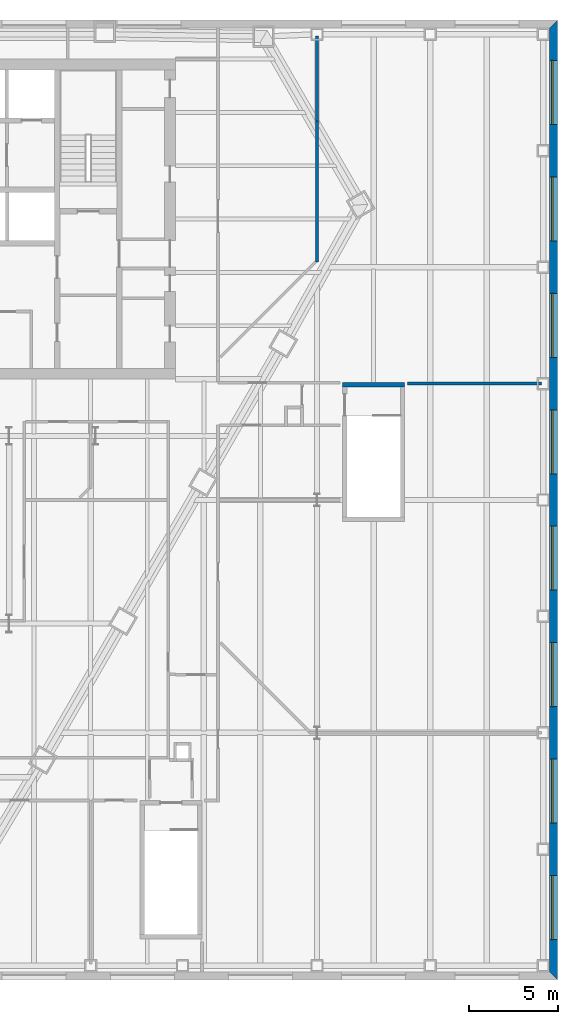
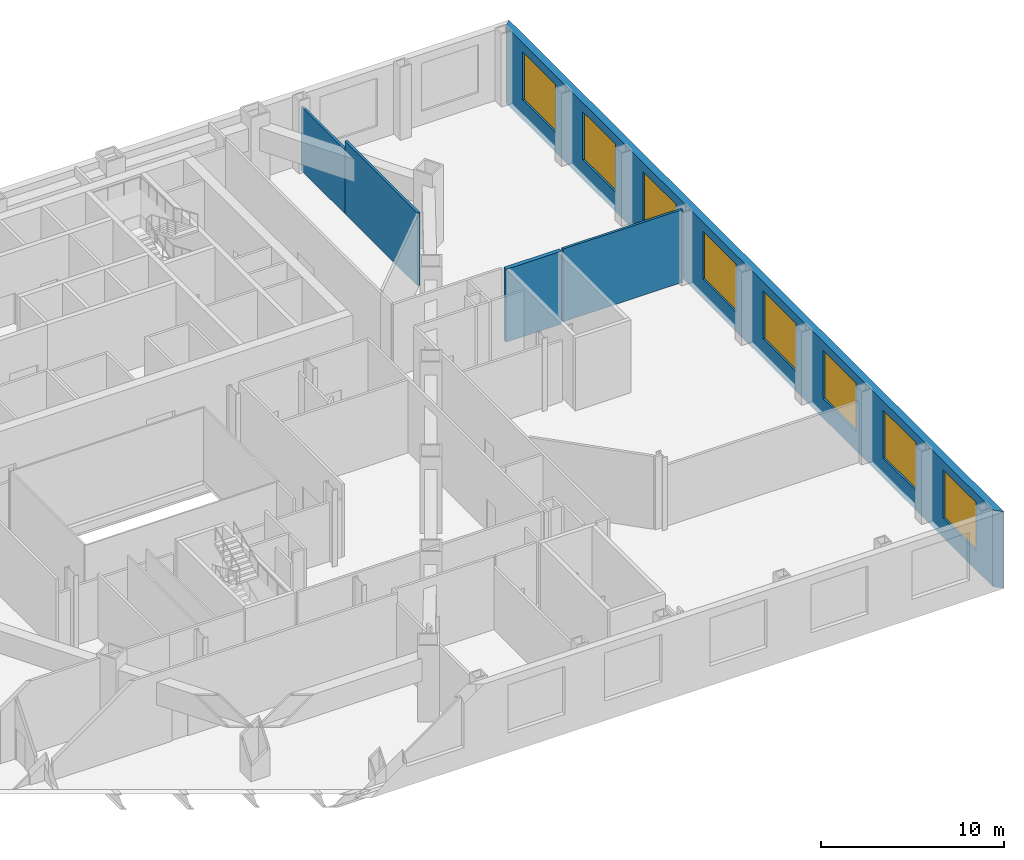
# One storey, part 14 of 17: 8 windows, 5 walls, 8 openings.
"""IFC4 building model written with IfcOpenShell, lengths in metres."""

from ifc_helpers import new_model, si_unit, direction, frame, frame_2d, origin, place, context, subcontext, project, spatial, polyline, rectangle, outline, extrude, material, layer, layer_set, type_object, element, fill, save


model = new_model("IFC4")

# Units and contexts
model_context = context("Model", 3, precision=1e-05, world=origin(), true_north=direction((0.0, 1.0)))
body_context = subcontext(model_context, "Body", "Model", "MODEL_VIEW")
ifc_project = project(units=[si_unit("LENGTHUNIT", "METRE"), si_unit("AREAUNIT", "SQUARE_METRE"), si_unit("VOLUMEUNIT", "CUBIC_METRE"), si_unit("PLANEANGLEUNIT", "RADIAN"), si_unit("MASSUNIT", "GRAM", prefix="KILO")], contexts=[model_context])

# Site, building, storey
site_placement = place(None, origin())
site = spatial("IfcSite", under=ifc_project, at=site_placement, CompositionType="ELEMENT")
building_placement = place(site_placement, origin())
building = spatial("IfcBuilding", under=site, at=building_placement, Name="Njiva Tower", CompositionType="ELEMENT")
storey_placement = place(building_placement, frame((0.0, 0.0, 23.7)))
storey = spatial("IfcBuildingStorey", under=building, at=storey_placement, Name="L04", CompositionType="ELEMENT", Elevation=23.7)

# Walls
ifc_material_1 = material(Name="Gypsum board on steel studs", Category="gypsum")
ifc_layer_1 = layer(ifc_material_1, 0.15)
ifc_layer_set_1 = layer_set([ifc_layer_1], Name="Gypsum board on steel studs")
wall_type_1 = type_object("IfcWallType", Name="WT21 Compartment wall 150", PredefinedType="PARTITIONING", material=ifc_layer_set_1)
wall_1_placement = place(storey_placement, frame((25.467, 6.592, 0.0), z_axis=(0.0, 0.0, 1.0), x_axis=(0.0, 1.0, 0.0)))
element("IfcWall", 1, at=wall_1_placement, inside=storey, type_object=wall_type_1, Name="Partition L04-P090", PredefinedType="PARTITIONING", context=body_context, shape_type="SweptSolid", body=[
    extrude(rectangle(XDim=7.936, YDim=0.15, at=frame_2d((3.968, 0.0))), origin(), (0.0, 0.0, 1.0), 4.85),
])
wall_2_placement = place(storey_placement, frame((25.467, 14.528, 0.0), z_axis=(0.0, 0.0, 1.0), x_axis=(0.0, 1.0, 0.0)))
element("IfcWall", 2, at=wall_2_placement, inside=storey, type_object=wall_type_1, Name="Partition L04-P090A", PredefinedType="PARTITIONING", context=body_context, shape_type="SweptSolid", body=[
    extrude(rectangle(XDim=4.772, YDim=0.15, at=frame_2d((2.386, 0.0))), origin(), (0.0, 0.0, 1.0), 4.25),
])
wall_3_placement = place(storey_placement, frame((30.55, -0.25, 0.0), z_axis=(0.0, 0.0, 1.0), x_axis=(1.0, 0.0, 0.0)))
element("IfcWall", 3, at=wall_3_placement, inside=storey, type_object=wall_type_1, Name="Partition L04-P091", PredefinedType="PARTITIONING", context=body_context, shape_type="SweptSolid", body=[
    extrude(rectangle(XDim=7.55, YDim=0.15, at=frame_2d((3.775, 0.0))), origin(), (0.0, 0.0, 1.0), 4.85),
])
ifc_material_2 = material(Name="Concrete C40/50", Category="concrete")
ifc_layer_2 = layer(ifc_material_2, 0.25)
ifc_layer_set_2 = layer_set([ifc_layer_2], Name="Concrete C40/50")
wall_type_2 = type_object("IfcWallType", Name="WT9 Stair enclosure wall 250", PredefinedType="SHEAR", material=ifc_layer_set_2)
wall_4_placement = place(storey_placement, frame((26.9, -0.325, 0.0), z_axis=(0.0, 0.0, 1.0), x_axis=(1.0, 0.0, 0.0)))
element("IfcWall", 4, at=wall_4_placement, inside=storey, type_object=wall_type_2, Name="Stair G wall north", PredefinedType="SHEAR", context=body_context, shape_type="SweptSolid", body=[
    extrude(rectangle(XDim=3.5, YDim=0.25, at=frame_2d((1.75, 0.0))), origin(), (0.0, 0.0, 1.0), 4.85),
])

# Wall, openings, windows
ifc_material_3 = material(Name="Brick masonry", Category="masonry")
ifc_layer_3 = layer(ifc_material_3, 0.45)
ifc_layer_set_3 = layer_set([ifc_layer_3], Name="Brick masonry")
wall_type_3 = type_object("IfcWallType", Name="WT90 Brick pier and spandrel wall 450", PredefinedType="SOLIDWALL", material=ifc_layer_set_3)
wall_5_placement = place(storey_placement, frame((38.775, -33.575, -0.4), z_axis=(0.0, 0.0, 1.0), x_axis=(0.0, 1.0, 0.0)))
wall_5 = element("IfcWall", 5, at=wall_5_placement, inside=storey, type_object=wall_type_3, Name="Podium wall E", PredefinedType="SOLIDWALL", context=body_context, shape_type="SweptSolid", body=[
    extrude(outline(polyline([(-0.225, -0.225), (53.775, -0.225), (53.325, 0.225), (0.225, 0.225), (-0.225, -0.225)])), origin(), (0.0, 0.0, 1.0), 5.1),
])
opening_1_placement = place(wall_5_placement, frame((2.05, 0.0, 1.3)))
opening_1 = element("IfcOpeningElement", 6, at=opening_1_placement, cuts=wall_5, Name="Opening L04-W01", PredefinedType="OPENING", context=body_context, shape_type="SweptSolid", body=[
    extrude(rectangle(XDim=3.6, YDim=3.2, at=frame_2d((1.8, 1.6))), frame((0.0, 0.235, 0.0), z_axis=(0.0, -1.0, 0.0), x_axis=(1.0, 0.0, 0.0)), (0.0, 0.0, 1.0), 0.47),
])
opening_2_placement = place(wall_5_placement, frame((8.6, 0.0, 1.3)))
opening_2 = element("IfcOpeningElement", 7, at=opening_2_placement, cuts=wall_5, Name="Opening L04-W02", PredefinedType="OPENING", context=body_context, shape_type="SweptSolid", body=[
    extrude(rectangle(XDim=3.6, YDim=3.2, at=frame_2d((1.8, 1.6))), frame((0.0, 0.235, 0.0), z_axis=(0.0, -1.0, 0.0), x_axis=(1.0, 0.0, 0.0)), (0.0, 0.0, 1.0), 0.47),
])
opening_3_placement = place(wall_5_placement, frame((15.15, 0.0, 1.3)))
opening_3 = element("IfcOpeningElement", 8, at=opening_3_placement, cuts=wall_5, Name="Opening L04-W03", PredefinedType="OPENING", context=body_context, shape_type="SweptSolid", body=[
    extrude(rectangle(XDim=3.6, YDim=3.2, at=frame_2d((1.8, 1.6))), frame((0.0, 0.235, 0.0), z_axis=(0.0, -1.0, 0.0), x_axis=(1.0, 0.0, 0.0)), (0.0, 0.0, 1.0), 0.47),
])
opening_4_placement = place(wall_5_placement, frame((21.7, 0.0, 1.3)))
opening_4 = element("IfcOpeningElement", 9, at=opening_4_placement, cuts=wall_5, Name="Opening L04-W04", PredefinedType="OPENING", context=body_context, shape_type="SweptSolid", body=[
    extrude(rectangle(XDim=3.6, YDim=3.2, at=frame_2d((1.8, 1.6))), frame((0.0, 0.235, 0.0), z_axis=(0.0, -1.0, 0.0), x_axis=(1.0, 0.0, 0.0)), (0.0, 0.0, 1.0), 0.47),
])
opening_5_placement = place(wall_5_placement, frame((28.25, 0.0, 1.3)))
opening_5 = element("IfcOpeningElement", 10, at=opening_5_placement, cuts=wall_5, Name="Opening L04-W05", PredefinedType="OPENING", context=body_context, shape_type="SweptSolid", body=[
    extrude(rectangle(XDim=3.6, YDim=3.2, at=frame_2d((1.8, 1.6))), frame((0.0, 0.235, 0.0), z_axis=(0.0, -1.0, 0.0), x_axis=(1.0, 0.0, 0.0)), (0.0, 0.0, 1.0), 0.47),
])
opening_6_placement = place(wall_5_placement, frame((34.8, 0.0, 1.3)))
opening_6 = element("IfcOpeningElement", 11, at=opening_6_placement, cuts=wall_5, Name="Opening L04-W06", PredefinedType="OPENING", context=body_context, shape_type="SweptSolid", body=[
    extrude(rectangle(XDim=3.6, YDim=3.2, at=frame_2d((1.8, 1.6))), frame((0.0, 0.235, 0.0), z_axis=(0.0, -1.0, 0.0), x_axis=(1.0, 0.0, 0.0)), (0.0, 0.0, 1.0), 0.47),
])
opening_7_placement = place(wall_5_placement, frame((41.35, 0.0, 1.3)))
opening_7 = element("IfcOpeningElement", 12, at=opening_7_placement, cuts=wall_5, Name="Opening L04-W07", PredefinedType="OPENING", context=body_context, shape_type="SweptSolid", body=[
    extrude(rectangle(XDim=3.6, YDim=3.2, at=frame_2d((1.8, 1.6))), frame((0.0, 0.235, 0.0), z_axis=(0.0, -1.0, 0.0), x_axis=(1.0, 0.0, 0.0)), (0.0, 0.0, 1.0), 0.47),
])
opening_8_placement = place(wall_5_placement, frame((47.9, 0.0, 1.3)))
opening_8 = element("IfcOpeningElement", 13, at=opening_8_placement, cuts=wall_5, Name="Opening L04-W08", PredefinedType="OPENING", context=body_context, shape_type="SweptSolid", body=[
    extrude(rectangle(XDim=3.6, YDim=3.2, at=frame_2d((1.8, 1.6))), frame((0.0, 0.235, 0.0), z_axis=(0.0, -1.0, 0.0), x_axis=(1.0, 0.0, 0.0)), (0.0, 0.0, 1.0), 0.47),
])
ifc_material_4 = material(Name="Clear glazing in aluminium frame", Category="aluminium")
window_type = type_object("IfcWindowType", Name="W98 Deep-set window 3600x3200", PartitioningType="SINGLE_PANEL", PredefinedType="WINDOW", material=ifc_material_4)
window_1_placement = place(opening_1_placement, origin())
window_1 = element("IfcWindow", 14, at=window_1_placement, inside=storey, type_object=window_type, Name="Window", OverallHeight=3.2, OverallWidth=3.6, PartitioningType="SINGLE_PANEL", PredefinedType="WINDOW", context=body_context, shape_type="SweptSolid", body=[
    extrude(rectangle(XDim=3.6, YDim=3.2, at=frame_2d((1.8, 1.6))), frame((0.0, 0.105, 0.0), z_axis=(0.0, -1.0, 0.0), x_axis=(1.0, 0.0, 0.0)), (0.0, 0.0, 1.0), 0.06),
])
fill(opening_1, window_1)
window_2_placement = place(opening_2_placement, origin())
window_2 = element("IfcWindow", 15, at=window_2_placement, inside=storey, type_object=window_type, Name="Window", OverallHeight=3.2, OverallWidth=3.6, PartitioningType="SINGLE_PANEL", PredefinedType="WINDOW", context=body_context, shape_type="SweptSolid", body=[
    extrude(rectangle(XDim=3.6, YDim=3.2, at=frame_2d((1.8, 1.6))), frame((0.0, 0.105, 0.0), z_axis=(0.0, -1.0, 0.0), x_axis=(1.0, 0.0, 0.0)), (0.0, 0.0, 1.0), 0.06),
])
fill(opening_2, window_2)
window_3_placement = place(opening_3_placement, origin())
window_3 = element("IfcWindow", 16, at=window_3_placement, inside=storey, type_object=window_type, Name="Window", OverallHeight=3.2, OverallWidth=3.6, PartitioningType="SINGLE_PANEL", PredefinedType="WINDOW", context=body_context, shape_type="SweptSolid", body=[
    extrude(rectangle(XDim=3.6, YDim=3.2, at=frame_2d((1.8, 1.6))), frame((0.0, 0.105, 0.0), z_axis=(0.0, -1.0, 0.0), x_axis=(1.0, 0.0, 0.0)), (0.0, 0.0, 1.0), 0.06),
])
fill(opening_3, window_3)
window_4_placement = place(opening_4_placement, origin())
window_4 = element("IfcWindow", 17, at=window_4_placement, inside=storey, type_object=window_type, Name="Window", OverallHeight=3.2, OverallWidth=3.6, PartitioningType="SINGLE_PANEL", PredefinedType="WINDOW", context=body_context, shape_type="SweptSolid", body=[
    extrude(rectangle(XDim=3.6, YDim=3.2, at=frame_2d((1.8, 1.6))), frame((0.0, 0.105, 0.0), z_axis=(0.0, -1.0, 0.0), x_axis=(1.0, 0.0, 0.0)), (0.0, 0.0, 1.0), 0.06),
])
fill(opening_4, window_4)
window_5_placement = place(opening_5_placement, origin())
window_5 = element("IfcWindow", 18, at=window_5_placement, inside=storey, type_object=window_type, Name="Window", OverallHeight=3.2, OverallWidth=3.6, PartitioningType="SINGLE_PANEL", PredefinedType="WINDOW", context=body_context, shape_type="SweptSolid", body=[
    extrude(rectangle(XDim=3.6, YDim=3.2, at=frame_2d((1.8, 1.6))), frame((0.0, 0.105, 0.0), z_axis=(0.0, -1.0, 0.0), x_axis=(1.0, 0.0, 0.0)), (0.0, 0.0, 1.0), 0.06),
])
fill(opening_5, window_5)
window_6_placement = place(opening_6_placement, origin())
window_6 = element("IfcWindow", 19, at=window_6_placement, inside=storey, type_object=window_type, Name="Window", OverallHeight=3.2, OverallWidth=3.6, PartitioningType="SINGLE_PANEL", PredefinedType="WINDOW", context=body_context, shape_type="SweptSolid", body=[
    extrude(rectangle(XDim=3.6, YDim=3.2, at=frame_2d((1.8, 1.6))), frame((0.0, 0.105, 0.0), z_axis=(0.0, -1.0, 0.0), x_axis=(1.0, 0.0, 0.0)), (0.0, 0.0, 1.0), 0.06),
])
fill(opening_6, window_6)
window_7_placement = place(opening_7_placement, origin())
window_7 = element("IfcWindow", 20, at=window_7_placement, inside=storey, type_object=window_type, Name="Window", OverallHeight=3.2, OverallWidth=3.6, PartitioningType="SINGLE_PANEL", PredefinedType="WINDOW", context=body_context, shape_type="SweptSolid", body=[
    extrude(rectangle(XDim=3.6, YDim=3.2, at=frame_2d((1.8, 1.6))), frame((0.0, 0.105, 0.0), z_axis=(0.0, -1.0, 0.0), x_axis=(1.0, 0.0, 0.0)), (0.0, 0.0, 1.0), 0.06),
])
fill(opening_7, window_7)
window_8_placement = place(opening_8_placement, origin())
window_8 = element("IfcWindow", 21, at=window_8_placement, inside=storey, type_object=window_type, Name="Window", OverallHeight=3.2, OverallWidth=3.6, PartitioningType="SINGLE_PANEL", PredefinedType="WINDOW", context=body_context, shape_type="SweptSolid", body=[
    extrude(rectangle(XDim=3.6, YDim=3.2, at=frame_2d((1.8, 1.6))), frame((0.0, 0.105, 0.0), z_axis=(0.0, -1.0, 0.0), x_axis=(1.0, 0.0, 0.0)), (0.0, 0.0, 1.0), 0.06),
])
fill(opening_8, window_8)

save(model, "model.ifc")
